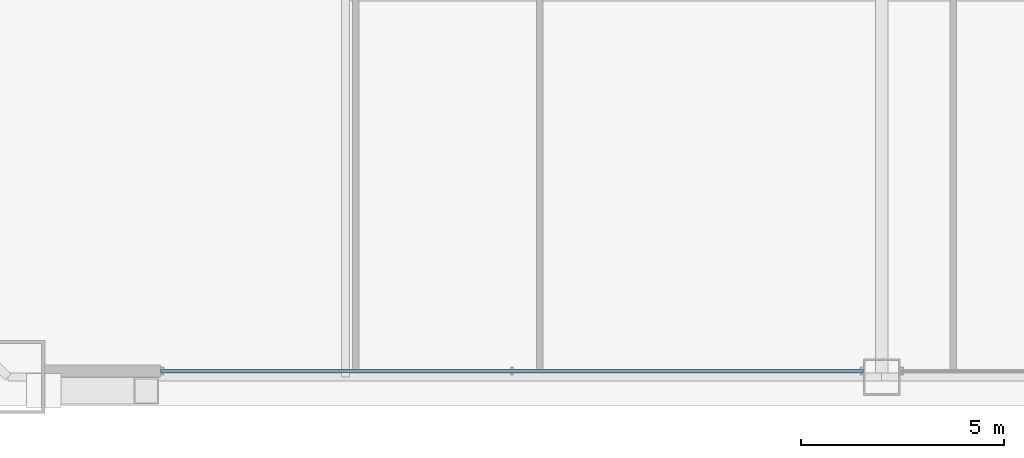
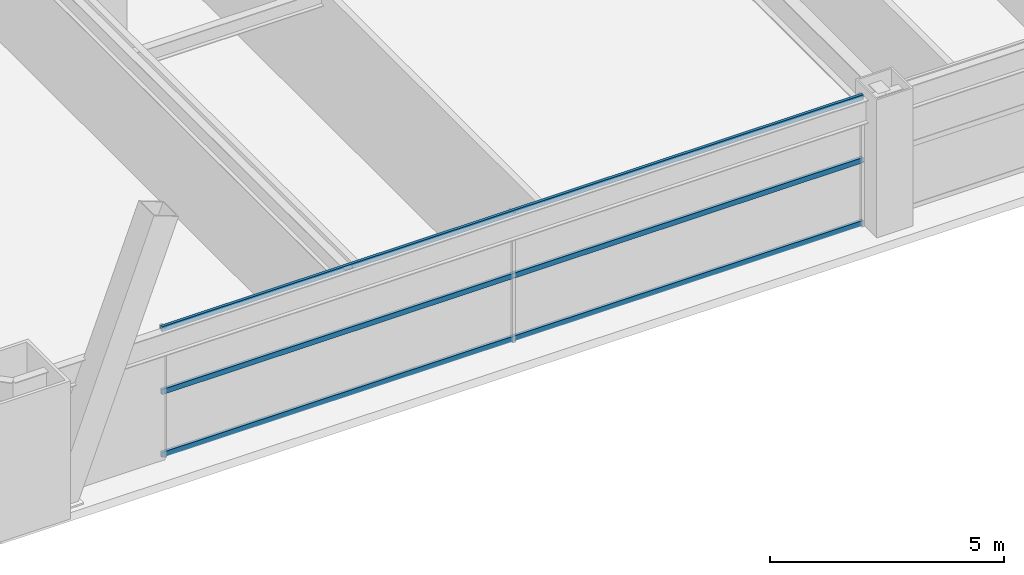
# One storey, part 6 of 43: 3 members, 1 element without a shape of its own.
"""IFC4 building model written with IfcOpenShell, lengths in metres."""

from ifc_helpers import new_model, si_unit, direction, frame, origin, origin_2d, place, context, subcontext, project, spatial, hollow_rectangle, extrude, source, transform, mapped, material, layer, layer_set, material_profile, profile_set, type_object, element, aggregate, save


model = new_model("IFC4")

# Units and contexts
model_context = context("Model", 3, precision=1e-05, world=origin(), true_north=direction((0.0, 1.0)))
body_context = subcontext(model_context, "Body", "Model", "MODEL_VIEW")
ifc_project = project(units=[si_unit("LENGTHUNIT", "METRE"), si_unit("AREAUNIT", "SQUARE_METRE"), si_unit("VOLUMEUNIT", "CUBIC_METRE"), si_unit("PLANEANGLEUNIT", "RADIAN"), si_unit("MASSUNIT", "GRAM", prefix="KILO"), si_unit("THERMODYNAMICTEMPERATUREUNIT", "KELVIN"), si_unit("POWERUNIT", "WATT")], contexts=[model_context])

# Site, building, storey
site_placement = place(None, origin())
site = spatial("IfcSite", under=ifc_project, at=site_placement, CompositionType="ELEMENT")
building_placement = place(site_placement, origin())
building = spatial("IfcBuilding", under=site, at=building_placement, Name="Yuzanri Waterfront Tower", CompositionType="ELEMENT")
storey_placement = place(building_placement, frame((0.0, 0.0, 67.60009765625)))
storey = spatial("IfcBuildingStorey", under=building, at=storey_placement, Name="L17", CompositionType="ELEMENT", Elevation=67.60009765625)

# Curtain wall, members
ifc_material_1 = material(Name="Anodized Architectural Bronze", Category="metal")
ifc_layer = layer(ifc_material_1, 0.159912109375)
ifc_layer_set = layer_set([ifc_layer], Name="Anodized Architectural Bronze")
curtain_wall_type = type_object("IfcCurtainWallType", Name="Anodized Bronze Hotel Lower-Tier Recessed Unitized Curtain Wall 8100", PredefinedType="NOTDEFINED", material=ifc_layer_set)
curtain_wall_placement = place(storey_placement, origin())
curtain_wall = element("IfcCurtainWall", 1, at=curtain_wall_placement, inside=storey, type_object=curtain_wall_type, Name="L17 Curtain Wall CW-L17-SL", PredefinedType="NOTDEFINED")
ifc_material_2 = material(Name="Anodized Architectural Bronze", Category="metal")
ifc_material_profile = material_profile(ifc_material_2, hollow_rectangle(XDim=0.070068359375, YDim=0.135009765625, WallThickness=0.00341796875, at=origin_2d()), Name="CWT 70x135")
ifc_profile_set = profile_set([ifc_material_profile], Name="Anodized Architectural Bronze")
member_type = type_object("IfcMemberType", Name="Anodized Bronze Standard Curtain-Wall Transom 70x135", PredefinedType="USERDEFINED", material=ifc_profile_set)
shared_shape = source(origin(), body_context, "Body", "SweptSolid", [
    extrude(hollow_rectangle(XDim=0.070068359375, YDim=0.135009765625, WallThickness=0.00341796875, at=origin_2d()), origin(), (0.0, 0.0, 1.0), 17.300048828125),
])
member_1_placement = place(storey_placement, frame((19.25, 0.85009765625, 0.0498046875), z_axis=(1.0, 0.0, 0.0), x_axis=(0.0, 1.0, 0.0)))
member_1 = element("IfcMember", 2, at=member_1_placement, type_object=member_type, Name="CW-L17-SL Transom 1", ObjectType="TRANSOM", PredefinedType="USERDEFINED", context=body_context, shape_type="MappedRepresentation", body=[
    mapped(shared_shape, transform((0.0, 0.0, 0.0), scale=1.0)),
])
member_2_placement = place(storey_placement, frame((19.25, 0.85009765625, 1.68994140625), z_axis=(1.0, 0.0, 0.0), x_axis=(0.0, 1.0, 0.0)))
member_2 = element("IfcMember", 3, at=member_2_placement, type_object=member_type, Name="CW-L17-SL Transom 2", ObjectType="TRANSOM", PredefinedType="USERDEFINED", context=body_context, shape_type="MappedRepresentation", body=[
    mapped(shared_shape, transform((0.0, 0.0, 0.0), scale=1.0)),
])
member_3_placement = place(storey_placement, frame((19.25, 0.85009765625, 3.329833984375), z_axis=(1.0, 0.0, 0.0), x_axis=(0.0, 1.0, 0.0)))
member_3 = element("IfcMember", 4, at=member_3_placement, type_object=member_type, Name="CW-L17-SL Transom 3", ObjectType="TRANSOM", PredefinedType="USERDEFINED", context=body_context, shape_type="MappedRepresentation", body=[
    mapped(shared_shape, transform((0.0, 0.0, 0.0), scale=1.0)),
])
aggregate(curtain_wall, [member_1, member_2, member_3])

save(model, "model.ifc")
